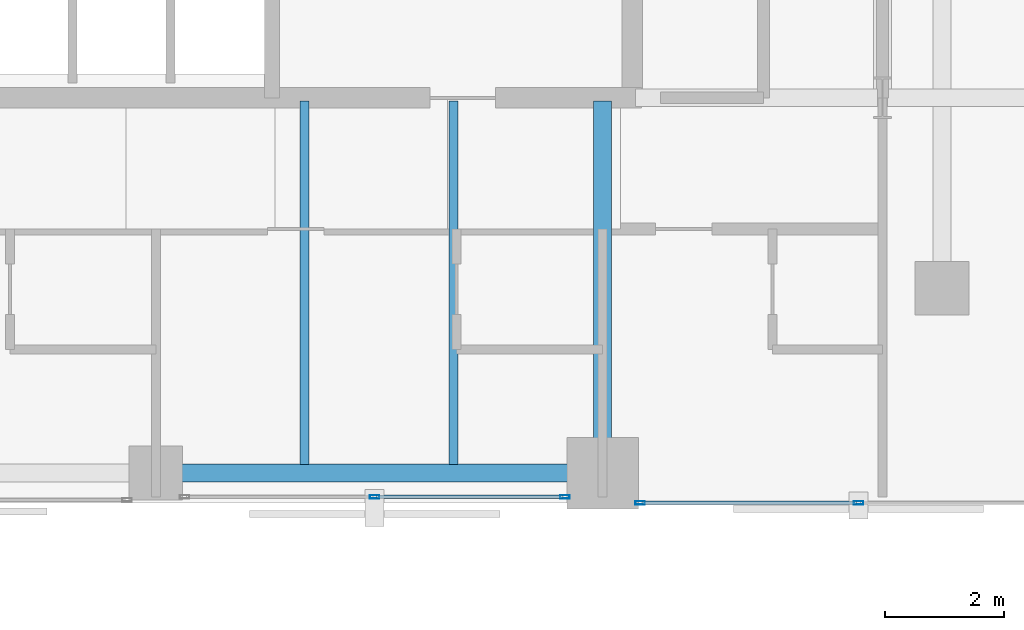
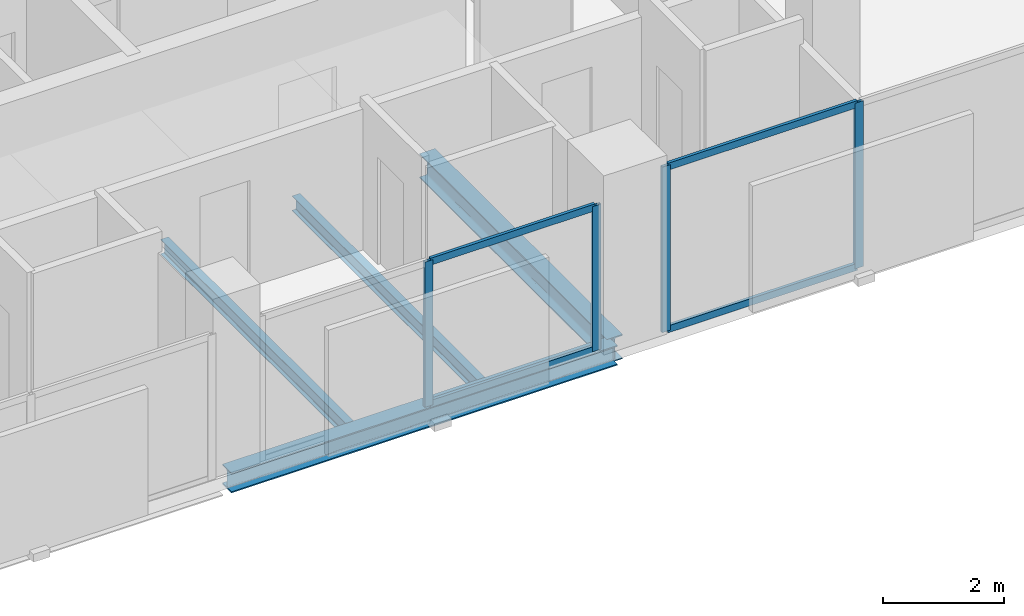
# One storey, part 14 of 34: 8 members, 4 beams, 2 elements without a shape of their own.
"""IFC4 building model written with IfcOpenShell, lengths in metres."""

from ifc_helpers import new_model, si_unit, direction, frame, origin, origin_2d, place, context, subcontext, project, spatial, hollow_rectangle, i_section, extrude, material, layer, layer_set, material_profile, profile_set, type_object, element, aggregate, save


model = new_model("IFC4")

# Units and contexts
model_context = context("Model", 3, precision=1e-05, world=origin(), true_north=direction((0.0, 1.0)))
body_context = subcontext(model_context, "Body", "Model", "MODEL_VIEW")
ifc_project = project(units=[si_unit("LENGTHUNIT", "METRE"), si_unit("AREAUNIT", "SQUARE_METRE"), si_unit("VOLUMEUNIT", "CUBIC_METRE"), si_unit("PLANEANGLEUNIT", "RADIAN"), si_unit("MASSUNIT", "GRAM", prefix="KILO")], contexts=[model_context])

# Site, building, storey
site_placement = place(None, origin())
site = spatial("IfcSite", under=ifc_project, at=site_placement, CompositionType="ELEMENT")
building_placement = place(site_placement, origin())
building = spatial("IfcBuilding", under=site, at=building_placement, Name="Catumbela Crestline Tower", CompositionType="ELEMENT")
storey_placement = place(building_placement, frame((0.0, 0.0, 97.2)))
storey = spatial("IfcBuildingStorey", under=building, at=storey_placement, Name="L24", CompositionType="ELEMENT", Elevation=97.2)

# Beams
ifc_material_1 = material(Name="Structural steel S355J2", Category="steel")
ifc_material_profile_1 = material_profile(ifc_material_1, i_section(OverallWidth=0.3, OverallDepth=0.49, WebThickness=0.012, FlangeThickness=0.023, FilletRadius=0.027, at=origin_2d()), Name="HEA 500")
ifc_profile_set_1 = profile_set([ifc_material_profile_1], Name="Structural steel S355J2")
beam_type_1 = type_object("IfcBeamType", Name="BG-HEA500", PredefinedType="BEAM", material=ifc_profile_set_1)
beam_1_placement = place(storey_placement, frame((39.5, 24.58, -0.505), z_axis=(0.0, 1.0, 0.0), x_axis=(-1.0, 0.0, 0.0)))
element("IfcBeam", 1, at=beam_1_placement, inside=storey, type_object=beam_type_1, Name="L24 Beam BM-L24-SNS31", PredefinedType="BEAM", context=body_context, shape_type="SweptSolid", body=[
    extrude(i_section(OverallWidth=0.3, OverallDepth=0.49, WebThickness=0.012, FlangeThickness=0.023, FilletRadius=0.027, at=origin_2d()), origin(), (0.0, 0.0, 1.0), 6.17),
])
ifc_material_profile_2 = material_profile(ifc_material_1, i_section(OverallWidth=0.15, OverallDepth=0.3, WebThickness=0.0071, FlangeThickness=0.0107, FilletRadius=0.015, at=origin_2d()), Name="IPE 300")
ifc_profile_set_2 = profile_set([ifc_material_profile_2], Name="Structural steel S355J2")
beam_type_2 = type_object("IfcBeamType", Name="BJ-IPE300", PredefinedType="JOIST", material=ifc_profile_set_2)
for number, where, z_axis, x_axis, name in (
    (2, (34.5, 24.647, -0.41), (0.0, 1.0, 0.0), (-1.0, 0.0, 0.0), "L24 Joist JS-L24-SP41"),
    (3, (37.0, 24.647, -0.41), (0.0, 1.0, 0.0), (-1.0, 0.0, 0.0), "L24 Joist JS-L24-SP42"),
):
    element("IfcBeam", number, at=place(storey_placement, frame(where, z_axis=z_axis, x_axis=x_axis)), inside=storey, type_object=beam_type_2, Name=name, PredefinedType="JOIST", context=body_context, shape_type="SweptSolid", body=[
        extrude(i_section(OverallWidth=0.15, OverallDepth=0.3, WebThickness=0.0071, FlangeThickness=0.0107, FilletRadius=0.015, at=origin_2d()), origin(), (0.0, 0.0, 1.0), 6.103),
    ])

# Curtain wall, members
ifc_material_2 = material(Name="Aluminium alloy AW-6060-T66", Category="aluminium")
ifc_layer = layer(ifc_material_2, 0.18, Name="Aluminium alloy AW-6060-T66")
ifc_layer_set = layer_set([ifc_layer], Name="Aluminium alloy AW-6060-T66")
curtain_wall_type = type_object("IfcCurtainWallType", Name="CWU-Z2", PredefinedType="USERDEFINED", material=ifc_layer_set)
curtain_wall_1_placement = place(storey_placement, origin())
curtain_wall_1 = element("IfcCurtainWall", 4, at=curtain_wall_1_placement, inside=storey, type_object=curtain_wall_type, Name="L24 Unitised Curtain Wall CW-L24-E3S2", ObjectType="UNITISED", PredefinedType="USERDEFINED")
ifc_material_profile_3 = material_profile(ifc_material_2, hollow_rectangle(XDim=0.06, YDim=0.16, WallThickness=0.004, at=origin_2d()), Name="ALU 160x60x4")
ifc_profile_set_3 = profile_set([ifc_material_profile_3], Name="Aluminium alloy AW-6060-T66")
member_type_1 = type_object("IfcMemberType", Name="MUL-160X60", PredefinedType="MULLION", material=ifc_profile_set_3)
member_1_placement = place(storey_placement, frame((35.675, 24.1, 0.0), z_axis=(0.0, 0.0, 1.0), x_axis=(0.0, 1.0, 0.0)))
member_1 = element("IfcMember", 5, at=member_1_placement, type_object=member_type_1, Name="CWU-Z2 mullion 2", PredefinedType="MULLION", context=body_context, shape_type="SweptSolid", body=[
    extrude(hollow_rectangle(XDim=0.06, YDim=0.16, WallThickness=0.004, at=origin_2d()), origin(), (0.0, 0.0, 1.0), 2.92),
])
member_2_placement = place(storey_placement, frame((38.8675, 24.1, 0.0), z_axis=(0.0, 0.0, 1.0), x_axis=(0.0, 1.0, 0.0)))
member_2 = element("IfcMember", 6, at=member_2_placement, type_object=member_type_1, Name="CWU-Z2 mullion 3", PredefinedType="MULLION", context=body_context, shape_type="SweptSolid", body=[
    extrude(hollow_rectangle(XDim=0.06, YDim=0.16, WallThickness=0.004, at=origin_2d()), origin(), (0.0, 0.0, 1.0), 2.92),
])

curtain_wall_2_placement = place(storey_placement, origin())
curtain_wall_2 = element("IfcCurtainWall", 7, at=curtain_wall_2_placement, inside=storey, type_object=curtain_wall_type, Name="L24 Unitised Curtain Wall CW-L24-E3S3", ObjectType="UNITISED", PredefinedType="USERDEFINED")
member_3_placement = place(storey_placement, frame((40.1325, 24.0, 0.0), z_axis=(0.0, 0.0, 1.0), x_axis=(0.0, 1.0, 0.0)))
member_3 = element("IfcMember", 8, at=member_3_placement, type_object=member_type_1, Name="CWU-Z2 mullion 1", PredefinedType="MULLION", context=body_context, shape_type="SweptSolid", body=[
    extrude(hollow_rectangle(XDim=0.06, YDim=0.16, WallThickness=0.004, at=origin_2d()), origin(), (0.0, 0.0, 1.0), 3.33),
])
member_4_placement = place(storey_placement, frame((43.8, 24.0, 0.0), z_axis=(0.0, 0.0, 1.0), x_axis=(0.0, 1.0, 0.0)))
member_4 = element("IfcMember", 9, at=member_4_placement, type_object=member_type_1, Name="CWU-Z2 mullion 2", PredefinedType="MULLION", context=body_context, shape_type="SweptSolid", body=[
    extrude(hollow_rectangle(XDim=0.06, YDim=0.16, WallThickness=0.004, at=origin_2d()), origin(), (0.0, 0.0, 1.0), 3.33),
])

# Beam
ifc_material_profile_4 = material_profile(ifc_material_1, i_section(OverallWidth=0.3, OverallDepth=0.4, WebThickness=0.0135, FlangeThickness=0.024, FilletRadius=0.027, at=origin_2d()), Name="HEB 400")
ifc_profile_set_4 = profile_set([ifc_material_profile_4], Name="Structural steel S355J2")
beam_type_3 = type_object("IfcBeamType", Name="BS-HEB400", PredefinedType="SPANDREL", material=ifc_profile_set_4)
beam_2_placement = place(storey_placement, frame((32.08, 24.5, -0.46), z_axis=(1.0, 0.0, 0.0), x_axis=(0.0, 1.0, 0.0)))
element("IfcBeam", 10, at=beam_2_placement, inside=storey, type_object=beam_type_3, Name="L24 Spandrel SP-L24-S06", PredefinedType="SPANDREL", context=body_context, shape_type="SweptSolid", body=[
    extrude(i_section(OverallWidth=0.3, OverallDepth=0.4, WebThickness=0.0135, FlangeThickness=0.024, FilletRadius=0.027, at=origin_2d()), origin(), (0.0, 0.0, 1.0), 7.34),
])

# Member
ifc_material_profile_5 = material_profile(ifc_material_2, hollow_rectangle(XDim=0.06, YDim=0.14, WallThickness=0.004, at=origin_2d()), Name="ALU 140x60x4")
ifc_profile_set_5 = profile_set([ifc_material_profile_5], Name="Aluminium alloy AW-6060-T66")
member_type_2 = type_object("IfcMemberType", Name="TRN-140X60", PredefinedType="USERDEFINED", material=ifc_profile_set_5)
member_5_placement = place(storey_placement, frame((35.7075, 24.1, 0.03), z_axis=(1.0, 0.0, 0.0), x_axis=(0.0, 1.0, 0.0)))
member_5 = element("IfcMember", 11, at=member_5_placement, type_object=member_type_2, Name="CWU-Z2 transom 2.1", ObjectType="TRANSOM", PredefinedType="USERDEFINED", context=body_context, shape_type="SweptSolid", body=[
    extrude(hollow_rectangle(XDim=0.06, YDim=0.14, WallThickness=0.004, at=origin_2d()), origin(), (0.0, 0.0, 1.0), 3.1275),
])

member_6_placement = place(storey_placement, frame((35.7075, 24.1, 2.89), z_axis=(1.0, 0.0, 0.0), x_axis=(0.0, 1.0, 0.0)))
member_6 = element("IfcMember", 12, at=member_6_placement, type_object=member_type_2, Name="CWU-Z2 transom 2.2", ObjectType="TRANSOM", PredefinedType="USERDEFINED", context=body_context, shape_type="SweptSolid", body=[
    extrude(hollow_rectangle(XDim=0.06, YDim=0.14, WallThickness=0.004, at=origin_2d()), origin(), (0.0, 0.0, 1.0), 3.1275),
])

aggregate(curtain_wall_1, [member_1, member_2, member_5, member_6])

member_7_placement = place(storey_placement, frame((40.165, 24.0, 0.03), z_axis=(1.0, 0.0, 0.0), x_axis=(0.0, 1.0, 0.0)))
member_7 = element("IfcMember", 13, at=member_7_placement, type_object=member_type_2, Name="CWU-Z2 transom 1.1", ObjectType="TRANSOM", PredefinedType="USERDEFINED", context=body_context, shape_type="SweptSolid", body=[
    extrude(hollow_rectangle(XDim=0.06, YDim=0.14, WallThickness=0.004, at=origin_2d()), origin(), (0.0, 0.0, 1.0), 3.6025),
])

member_8_placement = place(storey_placement, frame((40.165, 24.0, 3.3), z_axis=(1.0, 0.0, 0.0), x_axis=(0.0, 1.0, 0.0)))
member_8 = element("IfcMember", 14, at=member_8_placement, type_object=member_type_2, Name="CWU-Z2 transom 1.2", ObjectType="TRANSOM", PredefinedType="USERDEFINED", context=body_context, shape_type="SweptSolid", body=[
    extrude(hollow_rectangle(XDim=0.06, YDim=0.14, WallThickness=0.004, at=origin_2d()), origin(), (0.0, 0.0, 1.0), 3.6025),
])

aggregate(curtain_wall_2, [member_3, member_4, member_7, member_8])

save(model, "model.ifc")
